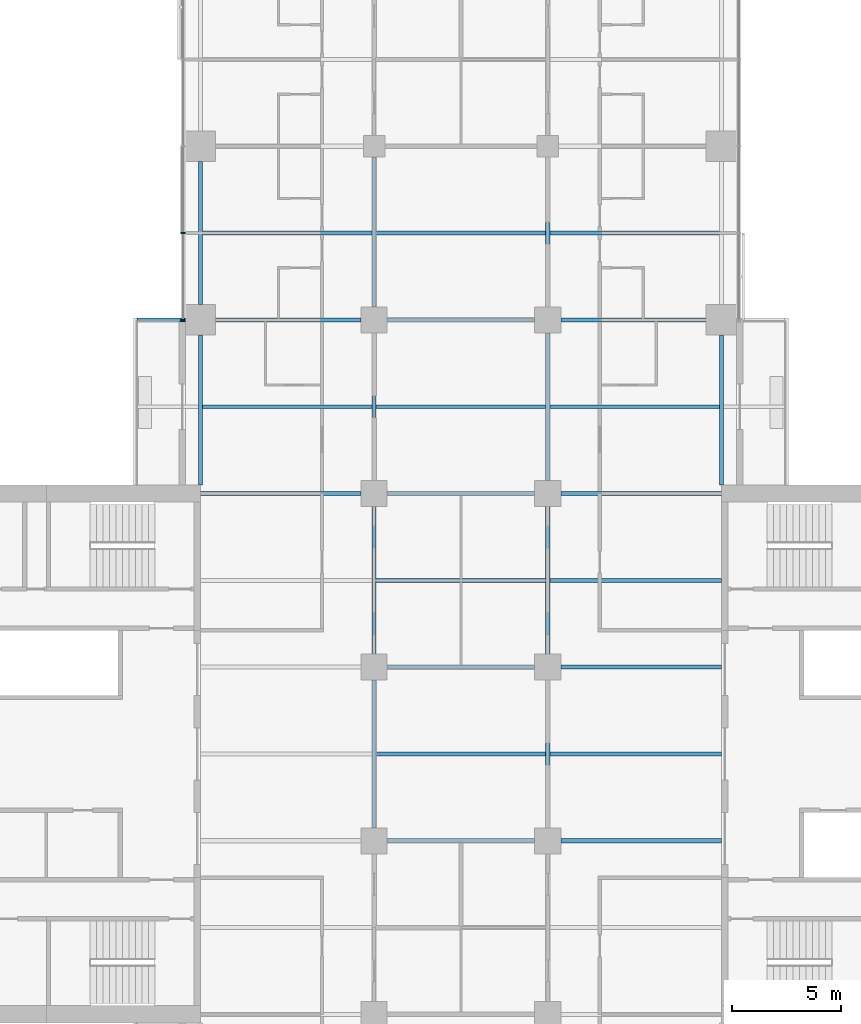
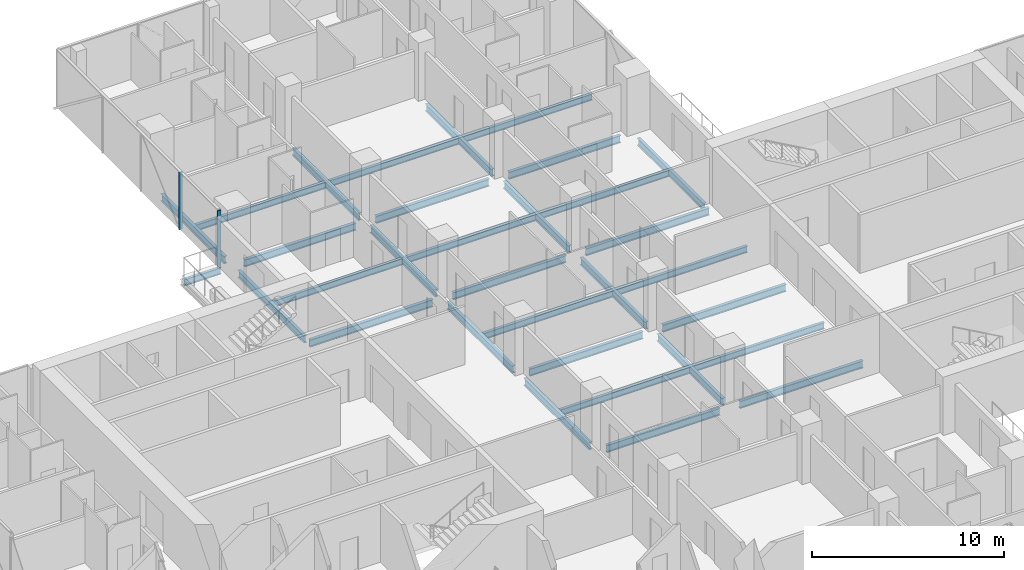
# One storey, part 9 of 29: 32 beams, 2 members, 1 element without a shape of its own.
"""IFC4 building model written with IfcOpenShell, lengths in metres."""

import ifcopenshell
import ifcopenshell.guid

model = None  # the IFC model being written
_history = None  # IfcOwnerHistory: only IFC2X3 demands one
_inside = {}  # id of a spatial element -> (the spatial element, [elements in it])
_under = {}  # id of a project, library or spatial element -> (it, [spatial elements below it])
_declared = {}  # id of a project -> (the project, [libraries it declares])
_typed = {}  # id of a type object -> (the type object, [elements of that type])
_made_of = {}  # id of a material, layer set ... -> (it, [elements and type objects made of it])


def new_model(schema):
    """Start an empty IFC model of exactly this schema.

    Asked for "IFC4X3", IfcOpenShell would pick the latest addendum, in which some entities
    have other attributes; the version numbers below select the first issue.
    IFC2X3 requires an IfcOwnerHistory on every rooted entity: one is made here for all.
    """
    global model, _history
    if schema == "IFC4X3":
        model = ifcopenshell.file(schema_version=(4, 3, 0, 0))
    else:
        model = ifcopenshell.file(schema=schema)
    _inside.clear()
    _under.clear()
    _declared.clear()
    _typed.clear()
    _made_of.clear()
    _history = None
    if model.schema == "IFC2X3":
        org = make("IfcOrganization", Name="unknown")
        user = make(
            "IfcPersonAndOrganization",
            ThePerson=make("IfcPerson", FamilyName="unknown"),
            TheOrganization=org,
        )
        app = make(
            "IfcApplication",
            ApplicationDeveloper=org,
            Version="unknown",
            ApplicationFullName="unknown",
            ApplicationIdentifier="unknown",
        )
        _history = make(
            "IfcOwnerHistory",
            OwningUser=user,
            OwningApplication=app,
            ChangeAction="ADDED",
            CreationDate=0,
        )
    return model


def make(cls, **values):
    """One entity of the class cls with the attributes given. An attribute that is None is left unset."""
    return model.create_entity(
        cls, **{name: value for name, value in values.items() if value is not None}
    )


def rooted(cls, **values):
    """An entity with a GlobalId (a new one), such as an element, a storey or a relation."""
    return make(cls, GlobalId=ifcopenshell.guid.new(), OwnerHistory=_history, **values)


def si_unit(unit_type, name, prefix=None):
    """IfcSIUnit, for example si_unit("LENGTHUNIT", "METRE", prefix="MILLI")."""
    return make("IfcSIUnit", UnitType=unit_type, Prefix=prefix, Name=name)


def assignment(units):
    """IfcUnitAssignment: the units of a project."""
    return None if units is None else make("IfcUnitAssignment", Units=units)


def point(xyz):
    """IfcCartesianPoint."""
    return None if xyz is None else make("IfcCartesianPoint", Coordinates=xyz)


def direction(xyz):
    """IfcDirection."""
    return None if xyz is None else make("IfcDirection", DirectionRatios=xyz)


def frame(location, z_axis=None, x_axis=None):
    """IfcAxis2Placement3D, a coordinate frame: its origin and axes. An axis left out is left unset."""
    return make(
        "IfcAxis2Placement3D",
        Location=point(location),
        Axis=direction(z_axis),
        RefDirection=direction(x_axis),
    )


def frame_2d(location, x_axis=None):
    """IfcAxis2Placement2D, a coordinate frame in the plane: its origin and x axis."""
    return make(
        "IfcAxis2Placement2D", Location=point(location), RefDirection=direction(x_axis)
    )


def origin():
    """The frame at (0, 0, 0) with its axes left unset."""
    return frame((0.0, 0.0, 0.0))


def origin_2d():
    """The frame at (0, 0) in the plane with its x axis left unset."""
    return frame_2d((0.0, 0.0))


def place(relative_to, where):
    """IfcLocalPlacement: puts the frame where relative to a parent placement (None: the world)."""
    return make(
        "IfcLocalPlacement", PlacementRelTo=relative_to, RelativePlacement=where
    )


def context(
    kind, dimensions, precision=None, world=None, true_north=None, identifier=None
):
    """IfcGeometricRepresentationContext, for example the 3D "Model" context."""
    return make(
        "IfcGeometricRepresentationContext",
        ContextIdentifier=identifier,
        ContextType=kind,
        CoordinateSpaceDimension=dimensions,
        Precision=precision,
        WorldCoordinateSystem=world,
        TrueNorth=true_north,
    )


def subcontext(parent, identifier, kind, view, scale=None):
    """IfcGeometricRepresentationSubContext, for example "Body" below "Model"."""
    return make(
        "IfcGeometricRepresentationSubContext",
        ContextIdentifier=identifier,
        ContextType=kind,
        ParentContext=parent,
        TargetScale=scale,
        TargetView=view,
    )


def project(units=None, contexts=None):
    """IfcProject with its units and contexts."""
    return rooted(
        "IfcProject",
        Name="project",
        RepresentationContexts=contexts,
        UnitsInContext=assignment(units),
    )


def spatial(cls, under=None, at=None, **own):
    """A site, building, storey or space (cls), placed at a placement, below another one or the project."""
    s = rooted(cls, ObjectPlacement=at, **own)
    if under is not None:
        _under.setdefault(under.id(), (under, []))[1].append(s)
    return s


def profile(cls, at=None, kind="AREA", **sizes):
    """A parametric profile (cls). Its sizes go by their IFC names, for example OverallWidth=200.0."""
    return make(cls, ProfileType=kind, Position=at, **sizes)


def rectangle(**sizes):
    """IfcRectangleProfileDef."""
    return profile("IfcRectangleProfileDef", **sizes)


def i_section(**sizes):
    """IfcIShapeProfileDef."""
    return profile("IfcIShapeProfileDef", **sizes)


def extrude(swept, where, along, depth):
    """IfcExtrudedAreaSolid: the profile swept, set in the frame where, extruded along a direction by depth."""
    return make(
        "IfcExtrudedAreaSolid",
        SweptArea=swept,
        Position=where,
        ExtrudedDirection=direction(along),
        Depth=depth,
    )


def shape(context_of_items, identifier, shape_type, items):
    """IfcShapeRepresentation: the items that make up one representation, for example the "Body"."""
    return make(
        "IfcShapeRepresentation",
        ContextOfItems=context_of_items,
        RepresentationIdentifier=identifier,
        RepresentationType=shape_type,
        Items=items,
    )


def material(Name=None, Category=None):
    """IfcMaterial."""
    return make("IfcMaterial", Name=Name, Category=Category)


def material_profile(
    of_material, cross_section, Name=None, Category=None, Priority=None
):
    """IfcMaterialProfile: a cross section and its material."""
    return make(
        "IfcMaterialProfile",
        Name=Name,
        Material=of_material,
        Profile=cross_section,
        Priority=Priority,
        Category=Category,
    )


def profile_set(profiles, Name=None, composite=None):
    """IfcMaterialProfileSet."""
    return make(
        "IfcMaterialProfileSet",
        Name=Name,
        MaterialProfiles=profiles,
        CompositeProfile=composite,
    )


def made_of(thing, what):
    """Note that an element or type object is made of a material, layer set ...; save() writes the relation."""
    if what is not None:
        _made_of.setdefault(what.id(), (what, []))[1].append(thing)
    return thing


def type_object(cls, material=None, **own):
    """A type object (cls), such as IfcWallType, which elements share."""
    return made_of(rooted(cls, **own), material)


def element(
    cls,
    number,
    at=None,
    inside=None,
    cuts=None,
    type_object=None,
    material=None,
    context=None,
    identifier="Body",
    shape_type=None,
    held_by="IfcProductDefinitionShape",
    body=None,
    shapes=None,
    **own,
):
    """One element of the class cls, such as IfcWall. Its Tag is "e" and its number.

    at: its placement. inside: the storey or other place that contains it. cuts: it is an
    opening in that element (IfcRelVoidsElement). A single representation is given by context,
    identifier, shape_type and body (its items); several are given by shapes. held_by: the class
    of the entity that holds the representations. save() writes the other relations.
    """
    e = rooted(cls, Tag="e%d" % number, ObjectPlacement=at, **own)
    if body is not None:
        shapes = [shape(context, identifier, shape_type, body)]
    if shapes is not None:
        e.Representation = make(held_by, Representations=shapes)
    if inside is not None:
        _inside.setdefault(inside.id(), (inside, []))[1].append(e)
    if cuts is not None:
        rooted(
            "IfcRelVoidsElement", RelatingBuildingElement=cuts, RelatedOpeningElement=e
        )
    if type_object is not None:
        _typed.setdefault(type_object.id(), (type_object, []))[1].append(e)
    return made_of(e, material)


def aggregate(whole, parts):
    """IfcRelAggregates: a whole, such as a stair, and the parts it consists of."""
    return rooted("IfcRelAggregates", RelatingObject=whole, RelatedObjects=parts)


def save(model, path):
    """Write the relations noted so far, then the file.

    IfcRelAggregates (storeys below a building ...), IfcRelContainedInSpatialStructure (elements
    in a storey), IfcRelDefinesByType, IfcRelAssociatesMaterial and IfcRelDeclares: one each for
    every whole, place, type object, material and project.
    """
    for whole, parts in _under.values():
        aggregate(whole, parts)
    for where, things in _inside.values():
        rooted(
            "IfcRelContainedInSpatialStructure",
            RelatedElements=things,
            RelatingStructure=where,
        )
    for kind, things in _typed.values():
        rooted("IfcRelDefinesByType", RelatedObjects=things, RelatingType=kind)
    for what, things in _made_of.values():
        rooted("IfcRelAssociatesMaterial", RelatedObjects=things, RelatingMaterial=what)
    for by, libraries in _declared.values():
        rooted("IfcRelDeclares", RelatingContext=by, RelatedDefinitions=libraries)
    model.write(path)


model = new_model("IFC4")

# Units and contexts
model_context = context("Model", 3, precision=1e-05, world=origin(), true_north=direction((0.0, 1.0)))
body_context = subcontext(model_context, "Body", "Model", "MODEL_VIEW")
ifc_project = project(units=[si_unit("LENGTHUNIT", "METRE"), si_unit("AREAUNIT", "SQUARE_METRE"), si_unit("VOLUMEUNIT", "CUBIC_METRE"), si_unit("PLANEANGLEUNIT", "RADIAN"), si_unit("MASSUNIT", "GRAM", prefix="KILO")], contexts=[model_context])

# Site, building, storey
site_placement = place(None, origin())
site = spatial("IfcSite", under=ifc_project, at=site_placement, CompositionType="ELEMENT")
building_placement = place(site_placement, origin())
building = spatial("IfcBuilding", under=site, at=building_placement, Name="Crosswind Convention Tower", CompositionType="ELEMENT")
storey_placement = place(building_placement, frame((0.0, 0.0, 57.199951171875)))
storey = spatial("IfcBuildingStorey", under=building, at=storey_placement, Name="L08", CompositionType="ELEMENT", Elevation=57.199951171875)

# Beams
ifc_material_1 = material(Name="Steel S355", Category="steel")
ifc_material_profile_1 = material_profile(ifc_material_1, i_section(OverallWidth=0.177734375, OverallDepth=0.406494140625, WebThickness=0.0078125, FlangeThickness=0.0126953125, FilletRadius=0.01025390625, at=origin_2d()), Name="UB 406x178x60")
ifc_profile_set_1 = profile_set([ifc_material_profile_1], Name="Steel S355")
beam_type_1 = type_object("IfcBeamType", Name="Balcony cantilever UB 406x178x60", PredefinedType="BEAM", material=ifc_profile_set_1)
beam_1_placement = place(storey_placement, frame((112.300048828125, 120.0, -0.483154296875), z_axis=(-1.0, 0.0, 0.0), x_axis=(0.0, -1.0, 0.0)))
element("IfcBeam", 1, at=beam_1_placement, inside=storey, type_object=beam_type_1, Name="B35 L08 balcony cantilever NW 5", PredefinedType="BEAM", context=body_context, shape_type="SweptSolid", body=[
    extrude(i_section(OverallWidth=0.177734375, OverallDepth=0.406494140625, WebThickness=0.0078125, FlangeThickness=0.0126953125, FilletRadius=0.01025390625, at=origin_2d()), origin(), (0.0, 0.0, 1.0), 2.214599609375),
])
ifc_material_profile_2 = material_profile(ifc_material_1, i_section(OverallWidth=0.1904296875, OverallDepth=0.457275390625, WebThickness=0.009033203125, FlangeThickness=0.014404296875, FilletRadius=0.01025390625, at=origin_2d()), Name="UB 457x191x75")
ifc_profile_set_2 = profile_set([ifc_material_profile_2], Name="Steel S355")
beam_type_2 = type_object("IfcBeamType", Name="Edge beam UB 457x191x75", PredefinedType="SPANDREL", material=ifc_profile_set_2)
beam_2_placement = place(storey_placement, frame((113.0, 112.39990234375, -0.508544921875), z_axis=(0.0, 1.0, 0.0), x_axis=(-1.0, 0.0, 0.0)))
element("IfcBeam", 2, at=beam_2_placement, inside=storey, type_object=beam_type_2, Name="B17 L08 edge beam 9", PredefinedType="SPANDREL", context=body_context, shape_type="SweptSolid", body=[
    extrude(i_section(OverallWidth=0.1904296875, OverallDepth=0.457275390625, WebThickness=0.009033203125, FlangeThickness=0.014404296875, FilletRadius=0.01025390625, at=origin_2d()), origin(), (0.0, 0.0, 1.0), 6.900146484375),
])
beam_3_placement = place(storey_placement, frame((113.0, 120.699951171875, -0.508544921875), z_axis=(0.0, 1.0, 0.0), x_axis=(-1.0, 0.0, 0.0)))
element("IfcBeam", 3, at=beam_3_placement, inside=storey, type_object=beam_type_2, Name="B17 L08 edge beam 10", PredefinedType="SPANDREL", context=body_context, shape_type="SweptSolid", body=[
    extrude(i_section(OverallWidth=0.1904296875, OverallDepth=0.457275390625, WebThickness=0.009033203125, FlangeThickness=0.014404296875, FilletRadius=0.01025390625, at=origin_2d()), origin(), (0.0, 0.0, 1.0), 6.60009765625),
])
beam_4_placement = place(storey_placement, frame((137.0, 112.39990234375, -0.508544921875), z_axis=(0.0, 1.0, 0.0), x_axis=(-1.0, 0.0, 0.0)))
element("IfcBeam", 4, at=beam_4_placement, inside=storey, type_object=beam_type_2, Name="B17 L08 edge beam 21", PredefinedType="SPANDREL", context=body_context, shape_type="SweptSolid", body=[
    extrude(i_section(OverallWidth=0.1904296875, OverallDepth=0.457275390625, WebThickness=0.009033203125, FlangeThickness=0.014404296875, FilletRadius=0.01025390625, at=origin_2d()), origin(), (0.0, 0.0, 1.0), 6.900146484375),
])
ifc_material_profile_3 = material_profile(ifc_material_1, i_section(OverallWidth=0.19140625, OverallDepth=0.460205078125, WebThickness=0.010009765625, FlangeThickness=0.01611328125, FilletRadius=0.01025390625, at=origin_2d()), Name="UB 457x191x82")
ifc_profile_set_3 = profile_set([ifc_material_profile_3], Name="Steel S355")
beam_type_3 = type_object("IfcBeamType", Name="Girder UB 457x191x82", PredefinedType="BEAM", material=ifc_profile_set_3)
beam_5_placement = place(storey_placement, frame((113.699951171875, 120.0, -0.510009765625), z_axis=(1.0, 0.0, 0.0), x_axis=(0.0, 1.0, 0.0)))
element("IfcBeam", 5, at=beam_5_placement, inside=storey, type_object=beam_type_3, Name="B3 L08 girder 3", PredefinedType="BEAM", context=body_context, shape_type="SweptSolid", body=[
    extrude(i_section(OverallWidth=0.19140625, OverallDepth=0.460205078125, WebThickness=0.010009765625, FlangeThickness=0.01611328125, FilletRadius=0.01025390625, at=origin_2d()), origin(), (0.0, 0.0, 1.0), 6.699951171875),
])
for number, where, z_axis, x_axis, name in (
    (6, (121.0, 96.60009765625, -0.510009765625), (0.0, 1.0, 0.0), (-1.0, 0.0, 0.0), "B3 L08 girder 9"),
    (7, (121.0, 104.60009765625, -0.510009765625), (0.0, 1.0, 0.0), (-1.0, 0.0, 0.0), "B3 L08 girder 10"),
    (8, (121.0, 112.60009765625, -0.510009765625), (0.0, 1.0, 0.0), (-1.0, 0.0, 0.0), "B3 L08 girder 11"),
):
    element("IfcBeam", number, at=place(storey_placement, frame(where, z_axis=z_axis, x_axis=x_axis)), inside=storey, type_object=beam_type_3, Name=name, PredefinedType="BEAM", context=body_context, shape_type="SweptSolid", body=[
        extrude(i_section(OverallWidth=0.19140625, OverallDepth=0.460205078125, WebThickness=0.010009765625, FlangeThickness=0.01611328125, FilletRadius=0.01025390625, at=origin_2d()), origin(), (0.0, 0.0, 1.0), 6.7998046875),
    ])
beam_6_placement = place(storey_placement, frame((121.0, 120.60009765625, -0.510009765625), z_axis=(0.0, 1.0, 0.0), x_axis=(-1.0, 0.0, 0.0)))
element("IfcBeam", 9, at=beam_6_placement, inside=storey, type_object=beam_type_3, Name="B3 L08 girder 12", PredefinedType="BEAM", context=body_context, shape_type="SweptSolid", body=[
    extrude(i_section(OverallWidth=0.19140625, OverallDepth=0.460205078125, WebThickness=0.010009765625, FlangeThickness=0.01611328125, FilletRadius=0.01025390625, at=origin_2d()), origin(), (0.0, 0.0, 1.0), 6.89990234375),
])
for number, where, z_axis, x_axis, name in (
    (10, (121.60009765625, 96.0, -0.510009765625), (1.0, 0.0, 0.0), (0.0, 1.0, 0.0), "B3 L08 girder 18"),
    (11, (121.60009765625, 104.0, -0.510009765625), (1.0, 0.0, 0.0), (0.0, 1.0, 0.0), "B3 L08 girder 19"),
    (12, (121.60009765625, 112.0, -0.510009765625), (1.0, 0.0, 0.0), (0.0, 1.0, 0.0), "B3 L08 girder 20"),
    (13, (121.60009765625, 120.0, -0.510009765625), (1.0, 0.0, 0.0), (0.0, 1.0, 0.0), "B3 L08 girder 21"),
    (14, (129.0, 96.60009765625, -0.510009765625), (0.0, 1.0, 0.0), (-1.0, 0.0, 0.0), "B3 L08 girder 26"),
    (15, (129.0, 104.60009765625, -0.510009765625), (0.0, 1.0, 0.0), (-1.0, 0.0, 0.0), "B3 L08 girder 27"),
    (16, (129.0, 112.60009765625, -0.510009765625), (0.0, 1.0, 0.0), (-1.0, 0.0, 0.0), "B3 L08 girder 28"),
):
    element("IfcBeam", number, at=place(storey_placement, frame(where, z_axis=z_axis, x_axis=x_axis)), inside=storey, type_object=beam_type_3, Name=name, PredefinedType="BEAM", context=body_context, shape_type="SweptSolid", body=[
        extrude(i_section(OverallWidth=0.19140625, OverallDepth=0.460205078125, WebThickness=0.010009765625, FlangeThickness=0.01611328125, FilletRadius=0.01025390625, at=origin_2d()), origin(), (0.0, 0.0, 1.0), 6.7998046875),
    ])
beam_7_placement = place(storey_placement, frame((129.0, 120.60009765625, -0.510009765625), z_axis=(0.0, 1.0, 0.0), x_axis=(-1.0, 0.0, 0.0)))
element("IfcBeam", 17, at=beam_7_placement, inside=storey, type_object=beam_type_3, Name="B3 L08 girder 29", PredefinedType="BEAM", context=body_context, shape_type="SweptSolid", body=[
    extrude(i_section(OverallWidth=0.19140625, OverallDepth=0.460205078125, WebThickness=0.010009765625, FlangeThickness=0.01611328125, FilletRadius=0.01025390625, at=origin_2d()), origin(), (0.0, 0.0, 1.0), 6.89990234375),
])
beam_8_placement = place(storey_placement, frame((129.60009765625, 120.0, -0.510009765625), z_axis=(1.0, 0.0, 0.0), x_axis=(0.0, 1.0, 0.0)))
element("IfcBeam", 18, at=beam_8_placement, inside=storey, type_object=beam_type_3, Name="B3 L08 girder 34", PredefinedType="BEAM", context=body_context, shape_type="SweptSolid", body=[
    extrude(i_section(OverallWidth=0.19140625, OverallDepth=0.460205078125, WebThickness=0.010009765625, FlangeThickness=0.01611328125, FilletRadius=0.01025390625, at=origin_2d()), origin(), (0.0, 0.0, 1.0), 6.699951171875),
])
ifc_material_profile_4 = material_profile(ifc_material_1, i_section(OverallWidth=0.19189453125, OverallDepth=0.463623046875, WebThickness=0.010498046875, FlangeThickness=0.017578125, FilletRadius=0.01025390625, at=origin_2d()), Name="UB 457x191x90")
ifc_profile_set_4 = profile_set([ifc_material_profile_4], Name="Steel S355")
beam_type_4 = type_object("IfcBeamType", Name="Girder at core wall UB 457x191x90", PredefinedType="BEAM", material=ifc_profile_set_4)
for number, where, z_axis, x_axis, name in (
    (19, (113.0, 112.0, -0.51171875), (1.0, 0.0, 0.0), (0.0, 1.0, 0.0), "B24 L08 girder at core wall 6"),
    (20, (129.60009765625, 96.0, -0.51171875), (1.0, 0.0, 0.0), (0.0, 1.0, 0.0), "B24 L08 girder at core wall 8"),
    (21, (129.60009765625, 104.0, -0.51171875), (1.0, 0.0, 0.0), (0.0, 1.0, 0.0), "B24 L08 girder at core wall 9"),
    (22, (129.60009765625, 112.0, -0.51171875), (1.0, 0.0, 0.0), (0.0, 1.0, 0.0), "B24 L08 girder at core wall 10"),
):
    element("IfcBeam", number, at=place(storey_placement, frame(where, z_axis=z_axis, x_axis=x_axis)), inside=storey, type_object=beam_type_4, Name=name, PredefinedType="BEAM", context=body_context, shape_type="SweptSolid", body=[
        extrude(i_section(OverallWidth=0.19189453125, OverallDepth=0.463623046875, WebThickness=0.010498046875, FlangeThickness=0.017578125, FilletRadius=0.01025390625, at=origin_2d()), origin(), (0.0, 0.0, 1.0), 7.39990234375),
    ])

# Curtain wall, members
ifc_material_2 = material(Name="Aluminium unitised curtain wall", Category="aluminium")
curtain_wall_type = type_object("IfcCurtainWallType", Name="HOTEL UNITISED WALL 200", PredefinedType="USERDEFINED", material=ifc_material_2)
curtain_wall_placement = place(storey_placement, origin())
curtain_wall = element("IfcCurtainWall", 23, at=curtain_wall_placement, inside=storey, type_object=curtain_wall_type, Name="CW2 L08 N-W 1", ObjectType="UNITISED", PredefinedType="USERDEFINED")
ifc_material_3 = material(Name="Aluminium mullion", Category="aluminium")
ifc_material_profile_5 = material_profile(ifc_material_3, rectangle(XDim=0.199951171875, YDim=0.06494140625, at=origin_2d()), Name="AL 200X65")
ifc_profile_set_5 = profile_set([ifc_material_profile_5], Name="Aluminium mullion")
member_type = type_object("IfcMemberType", Name="MULLION 65X200", PredefinedType="MULLION", material=ifc_profile_set_5)
member_1_placement = place(storey_placement, frame((112.199951171875, 124.0, -0.280029296875), z_axis=(0.0, 0.0, 1.0), x_axis=(-1.0, 0.0, 0.0)))
member_1 = element("IfcMember", 24, at=member_1_placement, type_object=member_type, Name="CW2 mullion 4", PredefinedType="MULLION", context=body_context, shape_type="SweptSolid", body=[
    extrude(rectangle(XDim=0.199951171875, YDim=0.06494140625, at=origin_2d()), origin(), (0.0, 0.0, 1.0), 3.635009765625),
])
member_2_placement = place(storey_placement, frame((112.199951171875, 120.0, -0.280029296875), z_axis=(0.0, 0.0, 1.0), x_axis=(-1.0, 0.0, 0.0)))
member_2 = element("IfcMember", 25, at=member_2_placement, type_object=member_type, Name="CW2 mullion 5", PredefinedType="MULLION", context=body_context, shape_type="SweptSolid", body=[
    extrude(rectangle(XDim=0.199951171875, YDim=0.06494140625, at=origin_2d()), origin(), (0.0, 0.0, 1.0), 3.635009765625),
])
aggregate(curtain_wall, [member_1, member_2])

# Beams
ifc_material_profile_6 = material_profile(ifc_material_1, i_section(OverallWidth=0.177734375, OverallDepth=0.406494140625, WebThickness=0.0078125, FlangeThickness=0.0126953125, FilletRadius=0.01025390625, at=origin_2d()), Name="UB 406x178x60")
ifc_profile_set_6 = profile_set([ifc_material_profile_6], Name="Steel S355")
beam_type_5 = type_object("IfcBeamType", Name="Secondary beam UB 406x178x60", PredefinedType="JOIST", material=ifc_profile_set_6)
for number, where, z_axis, x_axis, name in (
    (26, (113.09521484375, 116.0, -0.483154296875), (1.0, 0.0, 0.0), (0.0, 1.0, 0.0), "B10 L08 secondary beam 10"),
    (27, (113.09521484375, 124.0, -0.483154296875), (1.0, 0.0, 0.0), (0.0, 1.0, 0.0), "B10 L08 secondary beam 11"),
):
    element("IfcBeam", number, at=place(storey_placement, frame(where, z_axis=z_axis, x_axis=x_axis)), inside=storey, type_object=beam_type_5, Name=name, PredefinedType="JOIST", context=body_context, shape_type="SweptSolid", body=[
        extrude(i_section(OverallWidth=0.177734375, OverallDepth=0.406494140625, WebThickness=0.0078125, FlangeThickness=0.0126953125, FilletRadius=0.01025390625, at=origin_2d()), origin(), (0.0, 0.0, 1.0), 7.80908203125),
    ])
for number, where, z_axis, x_axis, name in (
    (28, (121.095703125, 100.0, -0.483154296875), (1.0, 0.0, 0.0), (0.0, 1.0, 0.0), "B10 L08 secondary beam 17"),
    (29, (121.095703125, 108.0, -0.483154296875), (1.0, 0.0, 0.0), (0.0, 1.0, 0.0), "B10 L08 secondary beam 18"),
    (30, (121.095703125, 116.0, -0.483154296875), (1.0, 0.0, 0.0), (0.0, 1.0, 0.0), "B10 L08 secondary beam 19"),
    (31, (121.095703125, 124.0, -0.483154296875), (1.0, 0.0, 0.0), (0.0, 1.0, 0.0), "B10 L08 secondary beam 20"),
):
    element("IfcBeam", number, at=place(storey_placement, frame(where, z_axis=z_axis, x_axis=x_axis)), inside=storey, type_object=beam_type_5, Name=name, PredefinedType="JOIST", context=body_context, shape_type="SweptSolid", body=[
        extrude(i_section(OverallWidth=0.177734375, OverallDepth=0.406494140625, WebThickness=0.0078125, FlangeThickness=0.0126953125, FilletRadius=0.01025390625, at=origin_2d()), origin(), (0.0, 0.0, 1.0), 7.80859375),
    ])
for number, where, z_axis, x_axis, name in (
    (32, (129.095703125, 100.0, -0.483154296875), (1.0, 0.0, 0.0), (0.0, 1.0, 0.0), "B10 L08 secondary beam 26"),
    (33, (129.095703125, 108.0, -0.483154296875), (1.0, 0.0, 0.0), (0.0, 1.0, 0.0), "B10 L08 secondary beam 27"),
):
    element("IfcBeam", number, at=place(storey_placement, frame(where, z_axis=z_axis, x_axis=x_axis)), inside=storey, type_object=beam_type_5, Name=name, PredefinedType="JOIST", context=body_context, shape_type="SweptSolid", body=[
        extrude(i_section(OverallWidth=0.177734375, OverallDepth=0.406494140625, WebThickness=0.0078125, FlangeThickness=0.0126953125, FilletRadius=0.01025390625, at=origin_2d()), origin(), (0.0, 0.0, 1.0), 7.904296875),
    ])
for number, where, z_axis, x_axis, name in (
    (34, (129.095703125, 116.0, -0.483154296875), (1.0, 0.0, 0.0), (0.0, 1.0, 0.0), "B10 L08 secondary beam 28"),
    (35, (129.095703125, 124.0, -0.483154296875), (1.0, 0.0, 0.0), (0.0, 1.0, 0.0), "B10 L08 secondary beam 29"),
):
    element("IfcBeam", number, at=place(storey_placement, frame(where, z_axis=z_axis, x_axis=x_axis)), inside=storey, type_object=beam_type_5, Name=name, PredefinedType="JOIST", context=body_context, shape_type="SweptSolid", body=[
        extrude(i_section(OverallWidth=0.177734375, OverallDepth=0.406494140625, WebThickness=0.0078125, FlangeThickness=0.0126953125, FilletRadius=0.01025390625, at=origin_2d()), origin(), (0.0, 0.0, 1.0), 7.80908203125),
    ])

save(model, "model.ifc")
